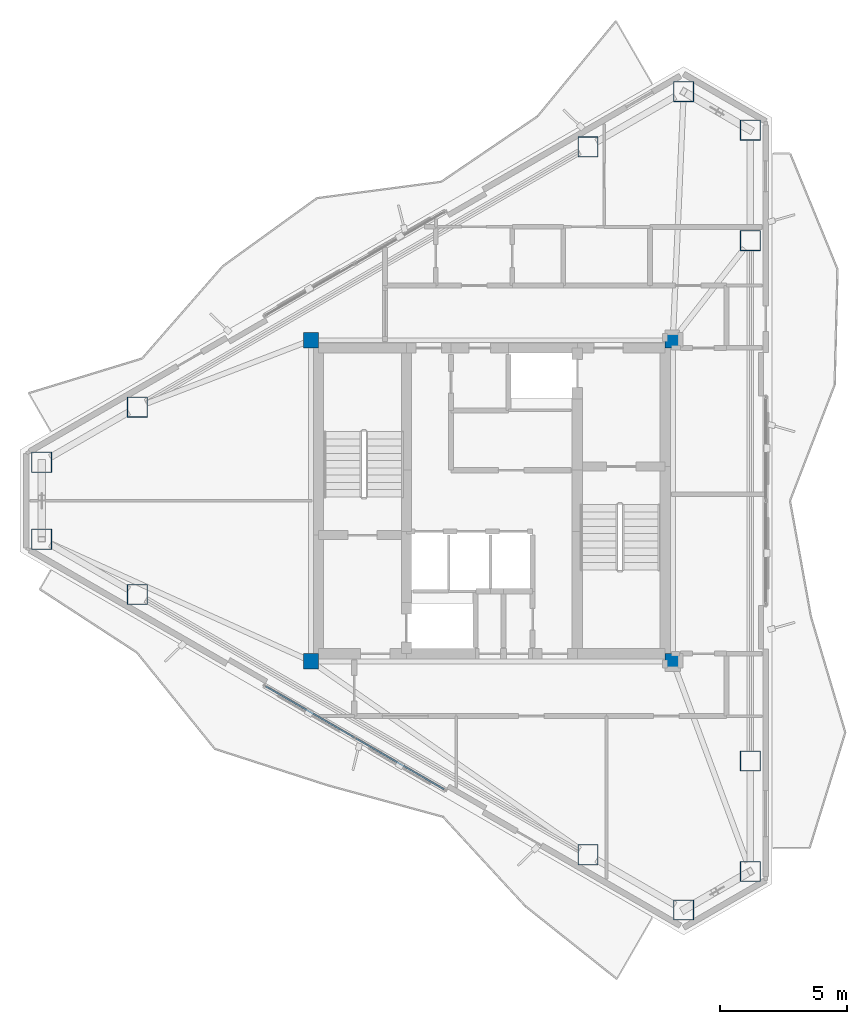
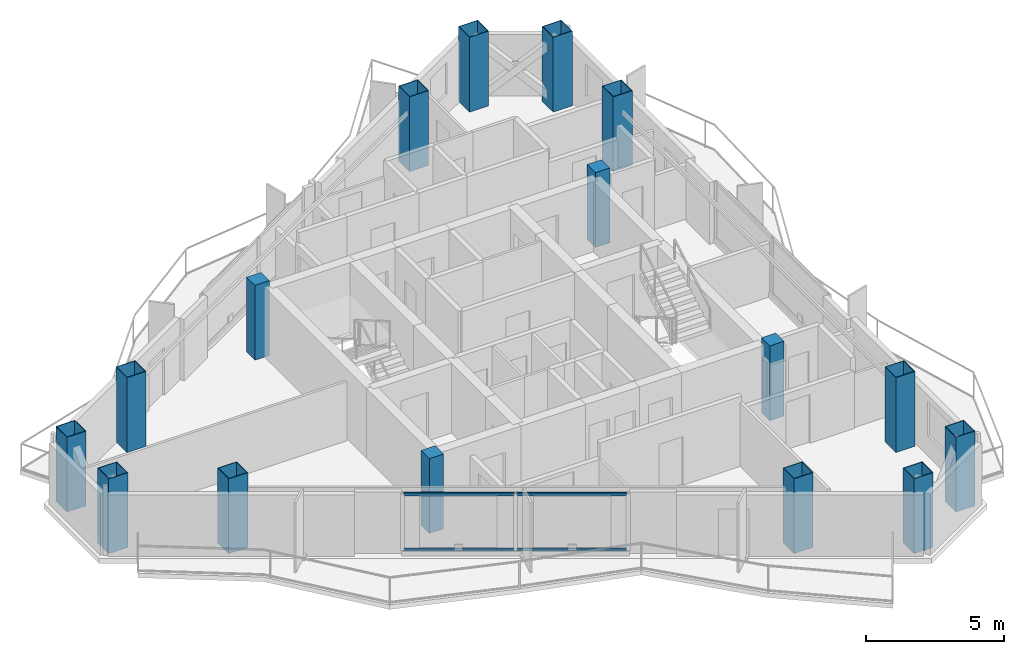
# One storey, part 1 of 18: 16 columns, 4 members, 1 element without a shape of its own.
"""IFC4 building model written with IfcOpenShell, lengths in metres."""

from ifc_helpers import new_model, si_unit, direction, frame, origin, origin_2d, place, context, subcontext, project, spatial, rectangle, hollow_rectangle, extrude, material, layer, layer_set, material_profile, profile_set, type_object, element, aggregate, save


model = new_model("IFC4")

# Units and contexts
model_context = context("Model", 3, precision=1e-05, world=origin(), true_north=direction((0.0, 1.0)))
body_context = subcontext(model_context, "Body", "Model", "MODEL_VIEW")
ifc_project = project(units=[si_unit("LENGTHUNIT", "METRE"), si_unit("AREAUNIT", "SQUARE_METRE"), si_unit("VOLUMEUNIT", "CUBIC_METRE"), si_unit("PLANEANGLEUNIT", "RADIAN"), si_unit("MASSUNIT", "GRAM", prefix="KILO")], contexts=[model_context])

# Site, building, storey
site_placement = place(None, origin())
site = spatial("IfcSite", under=ifc_project, at=site_placement, CompositionType="ELEMENT")
building_placement = place(site_placement, origin())
building = spatial("IfcBuilding", under=site, at=building_placement, Name="Mersakhor Tower and Convention Hall", CompositionType="ELEMENT")
storey_placement = place(building_placement, frame((0.0, 0.0, 243.0)))
storey = spatial("IfcBuildingStorey", under=building, at=storey_placement, Name="L68", CompositionType="ELEMENT", Elevation=243.0)

# Columns
ifc_material_1 = material(Name="Concrete C50/60 in S460M steel box", Category="concrete")
ifc_material_profile_1 = material_profile(ifc_material_1, hollow_rectangle(XDim=0.800048828125, YDim=0.800048828125, WallThickness=0.02490234375, at=origin_2d()), Name="SHS 800x800x25")
ifc_profile_set_1 = profile_set([ifc_material_profile_1], Name="Concrete C50/60 in S460M steel box")
column_type_1 = type_object("IfcColumnType", Name="COL-CFT-800", PredefinedType="COLUMN", material=ifc_profile_set_1)
for number, where, z_axis, x_axis, name in (
    (1, (11.33203125, 28.26123046875, 0.0), (0.0, 0.0, 1.0), (1.0, 0.0, 0.0), "L68 Perimeter Mega-Column MC-01"),
    (2, (15.085693359375, 30.428466796875, 0.0), (0.0, 0.0, 1.0), (1.0, 0.0, 0.0), "L68 Perimeter Mega-Column MC-02"),
    (3, (32.771484375, 40.639404296875, 0.0), (0.0, 0.0, 1.0), (1.0, 0.0, 0.0), "L68 Perimeter Mega-Column MC-03"),
    (4, (36.525146484375, 42.806640625, 0.0), (0.0, 0.0, 1.0), (1.0, 0.0, 0.0), "L68 Perimeter Mega-Column MC-04"),
    (5, (39.142822265625, 41.29541015625, 0.0), (0.0, 0.0, 1.0), (1.0, 0.0, 0.0), "L68 Perimeter Mega-Column MC-05"),
    (6, (39.142822265625, 36.960693359375, 0.0), (0.0, 0.0, 1.0), (1.0, 0.0, 0.0), "L68 Perimeter Mega-Column MC-06"),
    (7, (39.142822265625, 16.539306640625, 0.0), (0.0, 0.0, 1.0), (1.0, 0.0, 0.0), "L68 Perimeter Mega-Column MC-07"),
    (8, (39.142822265625, 12.20458984375, 0.0), (0.0, 0.0, 1.0), (1.0, 0.0, 0.0), "L68 Perimeter Mega-Column MC-08"),
    (9, (36.525146484375, 10.693359375, 0.0), (0.0, 0.0, 1.0), (1.0, 0.0, 0.0), "L68 Perimeter Mega-Column MC-09"),
    (10, (32.771484375, 12.860595703125, 0.0), (0.0, 0.0, 1.0), (1.0, 0.0, 0.0), "L68 Perimeter Mega-Column MC-10"),
    (11, (15.085693359375, 23.071533203125, 0.0), (0.0, 0.0, 1.0), (1.0, 0.0, 0.0), "L68 Perimeter Mega-Column MC-11"),
    (12, (11.33203125, 25.23876953125, 0.0), (0.0, 0.0, 1.0), (1.0, 0.0, 0.0), "L68 Perimeter Mega-Column MC-12"),
):
    element("IfcColumn", number, at=place(storey_placement, frame(where, z_axis=z_axis, x_axis=x_axis)), inside=storey, type_object=column_type_1, Name=name, PredefinedType="COLUMN", context=body_context, shape_type="SweptSolid", body=[
        extrude(hollow_rectangle(XDim=0.800048828125, YDim=0.800048828125, WallThickness=0.02490234375, at=origin_2d()), origin(), (0.0, 0.0, 1.0), 3.300048828125),
    ])
ifc_material_2 = material(Name="Concrete C50/60", Category="concrete")
ifc_material_profile_2 = material_profile(ifc_material_2, rectangle(XDim=0.60009765625, YDim=0.60009765625, at=origin_2d()), Name="RC 600x600")
ifc_profile_set_2 = profile_set([ifc_material_profile_2], Name="Concrete C50/60")
column_type_2 = type_object("IfcColumnType", Name="COL-RC-600", PredefinedType="COLUMN", material=ifc_profile_set_2)
for number, where, z_axis, x_axis, name in (
    (13, (21.89990234375, 20.449951171875, 0.0), (0.0, 0.0, 1.0), (1.0, 0.0, 0.0), "L68 Core Corner Column CC-1"),
    (14, (21.89990234375, 33.050048828125, 0.0), (0.0, 0.0, 1.0), (1.0, 0.0, 0.0), "L68 Core Corner Column CC-2"),
    (15, (36.10009765625, 33.050048828125, 0.0), (0.0, 0.0, 1.0), (1.0, 0.0, 0.0), "L68 Core Corner Column CC-3"),
    (16, (36.10009765625, 20.449951171875, 0.0), (0.0, 0.0, 1.0), (1.0, 0.0, 0.0), "L68 Core Corner Column CC-4"),
):
    element("IfcColumn", number, at=place(storey_placement, frame(where, z_axis=z_axis, x_axis=x_axis)), inside=storey, type_object=column_type_2, Name=name, PredefinedType="COLUMN", context=body_context, shape_type="SweptSolid", body=[
        extrude(rectangle(XDim=0.60009765625, YDim=0.60009765625, at=origin_2d()), origin(), (0.0, 0.0, 1.0), 3.300048828125),
    ])

# Curtain wall, members
ifc_material_3 = material(Name="Dark solar low-E aluminium curtain wall", Category="aluminium")
ifc_layer = layer(ifc_material_3, 0.179931640625)
ifc_layer_set = layer_set([ifc_layer], Name="Dark solar low-E aluminium curtain wall")
curtain_wall_type = type_object("IfcCurtainWallType", Name="CW-SYS-03", PredefinedType="USERDEFINED", material=ifc_layer_set)
curtain_wall_placement = place(storey_placement, origin())
curtain_wall = element("IfcCurtainWall", 17, at=curtain_wall_placement, inside=storey, type_object=curtain_wall_type, Name="L68 Dark-Glass Curtain Wall F3-B2", ObjectType="CURTAIN WALL", PredefinedType="USERDEFINED")
ifc_material_4 = material(Name="Anodised aluminium EN AW-6063 T6", Category="aluminium")
ifc_material_profile_3 = material_profile(ifc_material_4, hollow_rectangle(XDim=0.06005859375, YDim=0.1201171875, WallThickness=0.0048828125, at=origin_2d()), Name="RHS 120x60x5")
ifc_profile_set_3 = profile_set([ifc_material_profile_3], Name="Anodised aluminium EN AW-6063 T6")
member_type = type_object("IfcMemberType", Name="CWT-120x60", PredefinedType="USERDEFINED", material=ifc_profile_set_3)
member_1_placement = place(storey_placement, frame((27.12646484375, 15.427001953125, 0.22998046875), z_axis=(-0.866023018642, 0.500004131166, 0.0), x_axis=(-0.500004131166, -0.866023018642, 0.0)))
member_1 = element("IfcMember", 18, at=member_1_placement, type_object=member_type, Name="CW-03 transom 1.1", ObjectType="TRANSOM", PredefinedType="USERDEFINED", context=body_context, shape_type="SweptSolid", body=[
    extrude(hollow_rectangle(XDim=0.06005859375, YDim=0.1201171875, WallThickness=0.0048828125, at=origin_2d()), origin(), (0.0, 0.0, 1.0), 4.00146484375),
])
member_2_placement = place(storey_placement, frame((27.12646484375, 15.427001953125, 2.669921875), z_axis=(-0.866023018642, 0.500004131166, 0.0), x_axis=(-0.500004131166, -0.866023018642, 0.0)))
member_2 = element("IfcMember", 19, at=member_2_placement, type_object=member_type, Name="CW-03 transom 1.2", ObjectType="TRANSOM", PredefinedType="USERDEFINED", context=body_context, shape_type="SweptSolid", body=[
    extrude(hollow_rectangle(XDim=0.06005859375, YDim=0.1201171875, WallThickness=0.0048828125, at=origin_2d()), origin(), (0.0, 0.0, 1.0), 4.00146484375),
])
member_3_placement = place(storey_placement, frame((23.59619140625, 17.465087890625, 0.22998046875), z_axis=(-0.866023018642, 0.500004131166, 0.0), x_axis=(-0.500004131166, -0.866023018642, 0.0)))
member_3 = element("IfcMember", 20, at=member_3_placement, type_object=member_type, Name="CW-03 transom 2.1", ObjectType="TRANSOM", PredefinedType="USERDEFINED", context=body_context, shape_type="SweptSolid", body=[
    extrude(hollow_rectangle(XDim=0.06005859375, YDim=0.1201171875, WallThickness=0.0048828125, at=origin_2d()), origin(), (0.0, 0.0, 1.0), 4.00146484375),
])
member_4_placement = place(storey_placement, frame((23.59619140625, 17.465087890625, 2.669921875), z_axis=(-0.866023018642, 0.500004131166, 0.0), x_axis=(-0.500004131166, -0.866023018642, 0.0)))
member_4 = element("IfcMember", 21, at=member_4_placement, type_object=member_type, Name="CW-03 transom 2.2", ObjectType="TRANSOM", PredefinedType="USERDEFINED", context=body_context, shape_type="SweptSolid", body=[
    extrude(hollow_rectangle(XDim=0.06005859375, YDim=0.1201171875, WallThickness=0.0048828125, at=origin_2d()), origin(), (0.0, 0.0, 1.0), 4.00146484375),
])
aggregate(curtain_wall, [member_1, member_2, member_3, member_4])

save(model, "model.ifc")
